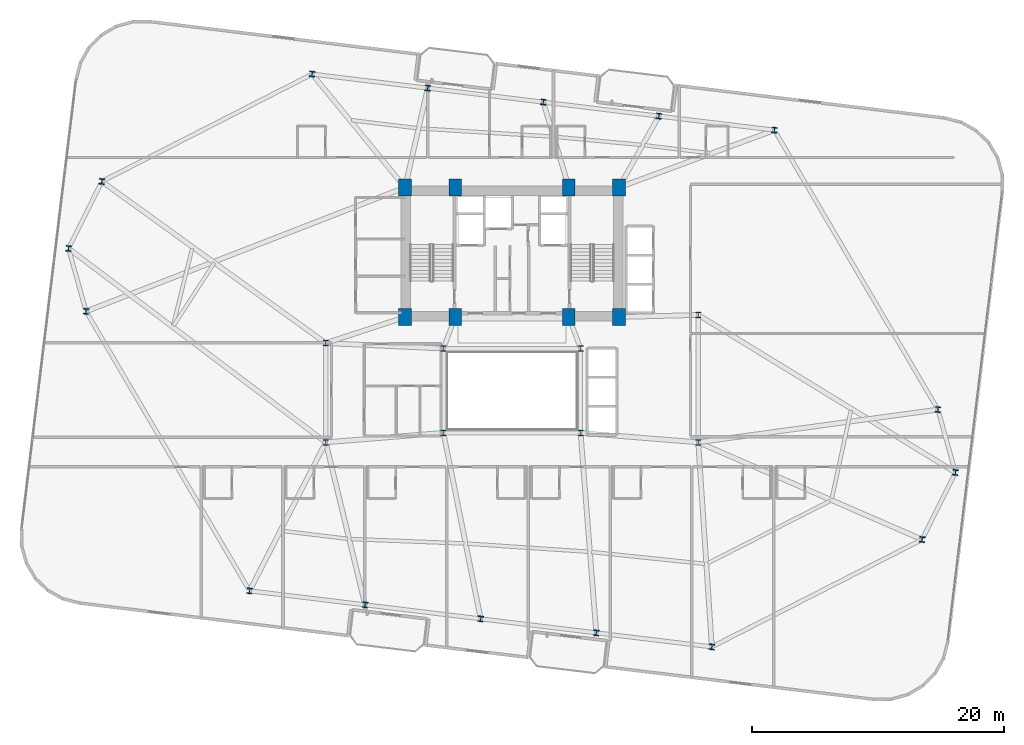
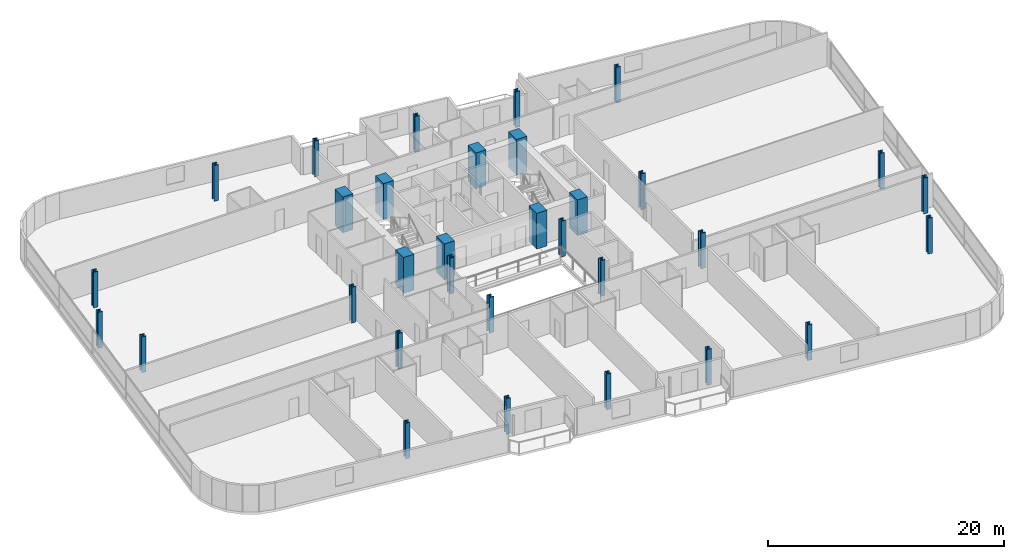
# One storey, part 1 of 26: 32 columns.
"""IFC4 building model written with IfcOpenShell, lengths in metres."""

from ifc_helpers import new_model, si_unit, direction, frame, origin, origin_2d, place, context, subcontext, project, spatial, rectangle, i_section, extrude, material, material_profile, profile_set, type_object, element, save


model = new_model("IFC4")

# Units and contexts
model_context = context("Model", 3, precision=1e-05, world=origin(), true_north=direction((0.0, 1.0)))
body_context = subcontext(model_context, "Body", "Model", "MODEL_VIEW")
ifc_project = project(units=[si_unit("LENGTHUNIT", "METRE"), si_unit("AREAUNIT", "SQUARE_METRE"), si_unit("VOLUMEUNIT", "CUBIC_METRE"), si_unit("PLANEANGLEUNIT", "RADIAN"), si_unit("MASSUNIT", "GRAM", prefix="KILO")], contexts=[model_context])

# Site, building, storey
site_placement = place(None, origin())
site = spatial("IfcSite", under=ifc_project, at=site_placement, CompositionType="ELEMENT")
building_placement = place(site_placement, origin())
building = spatial("IfcBuilding", under=site, at=building_placement, Name="Varnelok Gate Tower", CompositionType="ELEMENT")
storey_placement = place(building_placement, frame((0.0, 0.0, 125.39990234375)))
storey = spatial("IfcBuildingStorey", under=building, at=storey_placement, Name="L31", CompositionType="ELEMENT", Elevation=125.39990234375)

# Columns
ifc_material_1 = material(Name="Concrete C70/85", Category="concrete")
ifc_material_profile_1 = material_profile(ifc_material_1, rectangle(XDim=1.0, YDim=1.35009765625, at=origin_2d()), Name="RC1350X1000")
ifc_profile_set_1 = profile_set([ifc_material_profile_1], Name="Concrete C70/85")
column_type_1 = type_object("IfcColumnType", Name="COL-RC1350X1000", PredefinedType="COLUMN", material=ifc_profile_set_1)
for number, where, z_axis, x_axis, name in (
    (1, (30.699951171875, 28.75, 0.0), (0.0, 0.0, 1.0), (1.0, 0.0, 0.0), "L31 Core Spine Column SC1"),
    (2, (34.679931640625, 28.75, 0.0), (0.0, 0.0, 1.0), (1.0, 0.0, 0.0), "L31 Core Spine Column SC2"),
    (3, (43.719970703125, 28.75, 0.0), (0.0, 0.0, 1.0), (1.0, 0.0, 0.0), "L31 Core Spine Column SC3"),
    (4, (47.699951171875, 28.75, 0.0), (0.0, 0.0, 1.0), (1.0, 0.0, 0.0), "L31 Core Spine Column SC4"),
    (5, (30.699951171875, 39.050048828125, 0.0), (0.0, 0.0, 1.0), (1.0, 0.0, 0.0), "L31 Core Spine Column SC5"),
    (6, (34.679931640625, 39.050048828125, 0.0), (0.0, 0.0, 1.0), (1.0, 0.0, 0.0), "L31 Core Spine Column SC6"),
    (7, (43.719970703125, 39.050048828125, 0.0), (0.0, 0.0, 1.0), (1.0, 0.0, 0.0), "L31 Core Spine Column SC7"),
    (8, (47.699951171875, 39.050048828125, 0.0), (0.0, 0.0, 1.0), (1.0, 0.0, 0.0), "L31 Core Spine Column SC8"),
):
    element("IfcColumn", number, at=place(storey_placement, frame(where, z_axis=z_axis, x_axis=x_axis)), inside=storey, type_object=column_type_1, Name=name, PredefinedType="COLUMN", context=body_context, shape_type="SweptSolid", body=[
        extrude(rectangle(XDim=1.0, YDim=1.35009765625, at=origin_2d()), origin(), (0.0, 0.0, 1.0), 3.7001953125),
    ])
ifc_material_2 = material(Name="Structural Steel ASTM A992 Grade 50", Category="steel")
ifc_material_profile_2 = material_profile(ifc_material_2, i_section(OverallWidth=0.41796875, OverallDepth=0.455078125, WebThickness=0.0419921875, FlangeThickness=0.067626953125, FilletRadius=0.02490234375, at=origin_2d()), Name="W14X370")
ifc_profile_set_2 = profile_set([ifc_material_profile_2], Name="Structural Steel ASTM A992 Grade 50")
column_type_2 = type_object("IfcColumnType", Name="COL-W14X370", PredefinedType="COLUMN", material=ifc_profile_set_2)
for number, where, z_axis, x_axis, name in (
    (9, (18.345703125, 6.99658203125, 0.0), (0.0, 0.0, 1.0), (0.992732158755, -0.12034475881, 0.0), "L31 B3 Perimeter Column PC01"),
    (10, (27.528564453125, 5.883544921875, 0.0), (0.0, 0.0, 1.0), (0.992732158755, -0.12034475881, 0.0), "L31 B3 Perimeter Column PC02"),
    (11, (36.711181640625, 4.770263671875, 0.0), (0.0, 0.0, 1.0), (0.992732158755, -0.12034475881, 0.0), "L31 B3 Perimeter Column PC03"),
    (12, (45.89404296875, 3.656982421875, 0.0), (0.0, 0.0, 1.0), (0.992732158755, -0.12034475881, 0.0), "L31 B3 Perimeter Column PC04"),
    (13, (55.076904296875, 2.5439453125, 0.0), (0.0, 0.0, 1.0), (0.992732158755, -0.12034475881, 0.0), "L31 B3 Perimeter Column PC05"),
    (14, (71.79296875, 11.07421875, 0.0), (0.0, 0.0, 1.0), (0.992732158755, -0.12034475881, 0.0), "L31 B3 Perimeter Column PC06"),
    (15, (74.435546875, 16.40478515625, 0.0), (0.0, 0.0, 1.0), (0.992732158755, -0.12034475881, 0.0), "L31 B3 Perimeter Column PC07"),
    (16, (73.04443359375, 21.398681640625, 0.0), (0.0, 0.0, 1.0), (0.992732158755, -0.12034475881, 0.0), "L31 B3 Perimeter Column PC08"),
    (17, (60.05419921875, 43.603271484375, 0.0), (0.0, 0.0, 1.0), (0.992732158755, -0.12034475881, 0.0), "L31 B3 Perimeter Column PC09"),
    (18, (50.87158203125, 44.716552734375, 0.0), (0.0, 0.0, 1.0), (0.992732158755, -0.12034475881, 0.0), "L31 B3 Perimeter Column PC10"),
    (19, (41.688720703125, 45.82958984375, 0.0), (0.0, 0.0, 1.0), (0.992732158755, -0.12034475881, 0.0), "L31 B3 Perimeter Column PC11"),
    (20, (32.506103515625, 46.94287109375, 0.0), (0.0, 0.0, 1.0), (0.992732158755, -0.12034475881, 0.0), "L31 B3 Perimeter Column PC12"),
    (21, (23.3232421875, 48.05615234375, 0.0), (0.0, 0.0, 1.0), (0.992732158755, -0.12034475881, 0.0), "L31 B3 Perimeter Column PC13"),
    (22, (6.607177734375, 39.52587890625, 0.0), (0.0, 0.0, 1.0), (0.992732158755, -0.12034475881, 0.0), "L31 B3 Perimeter Column PC14"),
    (23, (3.96435546875, 34.195068359375, 0.0), (0.0, 0.0, 1.0), (0.992732158755, -0.12034475881, 0.0), "L31 B3 Perimeter Column PC15"),
    (24, (5.35546875, 29.201416015625, 0.0), (0.0, 0.0, 1.0), (0.992732158755, -0.12034475881, 0.0), "L31 B3 Perimeter Column PC16"),
):
    element("IfcColumn", number, at=place(storey_placement, frame(where, z_axis=z_axis, x_axis=x_axis)), inside=storey, type_object=column_type_2, Name=name, PredefinedType="COLUMN", context=body_context, shape_type="SweptSolid", body=[
        extrude(i_section(OverallWidth=0.41796875, OverallDepth=0.455078125, WebThickness=0.0419921875, FlangeThickness=0.067626953125, FilletRadius=0.02490234375, at=origin_2d()), origin(), (0.0, 0.0, 1.0), 3.7001953125),
    ])
ifc_material_profile_3 = material_profile(ifc_material_2, i_section(OverallWidth=0.424072265625, OverallDepth=0.47412109375, WebThickness=0.047607421875, FlangeThickness=0.0771484375, FilletRadius=0.02490234375, at=origin_2d()), Name="W14X426")
ifc_profile_set_3 = profile_set([ifc_material_profile_3], Name="Structural Steel ASTM A992 Grade 50")
column_type_3 = type_object("IfcColumnType", Name="COL-W14X426", PredefinedType="COLUMN", material=ifc_profile_set_3)
for number, where, z_axis, x_axis, name in (
    (25, (33.75, 19.550048828125, 0.0), (0.0, 0.0, 1.0), (1.0, 0.0, 0.0), "L31 Atrium Spine Column AC1"),
    (26, (44.64990234375, 19.550048828125, 0.0), (0.0, 0.0, 1.0), (1.0, 0.0, 0.0), "L31 Atrium Spine Column AC2"),
    (27, (33.75, 26.25, 0.0), (0.0, 0.0, 1.0), (1.0, 0.0, 0.0), "L31 Atrium Spine Column AC3"),
    (28, (44.64990234375, 26.25, 0.0), (0.0, 0.0, 1.0), (1.0, 0.0, 0.0), "L31 Atrium Spine Column AC4"),
    (29, (24.39990234375, 18.800048828125, 0.0), (0.0, 0.0, 1.0), (1.0, 0.0, 0.0), "L31 Wing Spine Column WS1"),
    (30, (24.39990234375, 26.679931640625, 0.0), (0.0, 0.0, 1.0), (1.0, 0.0, 0.0), "L31 Wing Spine Column WS2"),
    (31, (54.0, 18.800048828125, 0.0), (0.0, 0.0, 1.0), (1.0, 0.0, 0.0), "L31 Wing Spine Column ES1"),
    (32, (54.0, 28.919921875, 0.0), (0.0, 0.0, 1.0), (1.0, 0.0, 0.0), "L31 Wing Spine Column ES2"),
):
    element("IfcColumn", number, at=place(storey_placement, frame(where, z_axis=z_axis, x_axis=x_axis)), inside=storey, type_object=column_type_3, Name=name, PredefinedType="COLUMN", context=body_context, shape_type="SweptSolid", body=[
        extrude(i_section(OverallWidth=0.424072265625, OverallDepth=0.47412109375, WebThickness=0.047607421875, FlangeThickness=0.0771484375, FilletRadius=0.02490234375, at=origin_2d()), origin(), (0.0, 0.0, 1.0), 3.7001953125),
    ])

save(model, "model.ifc")
